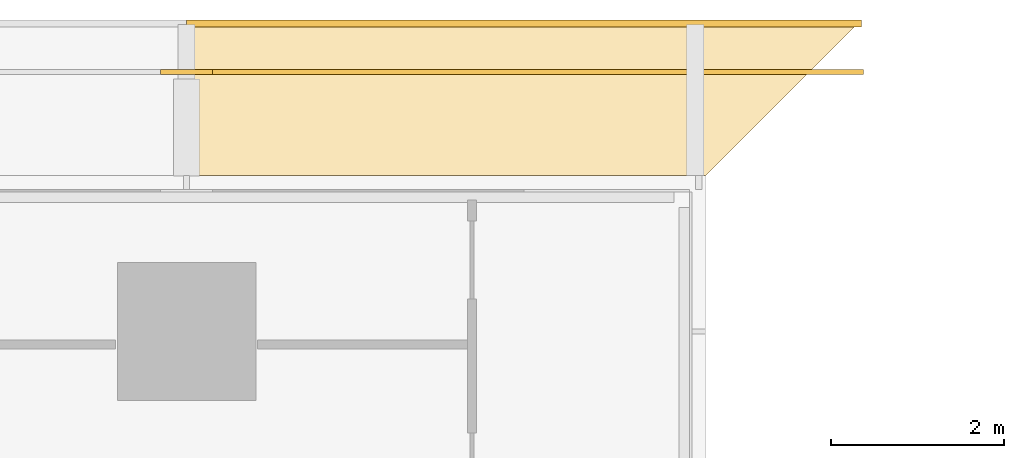
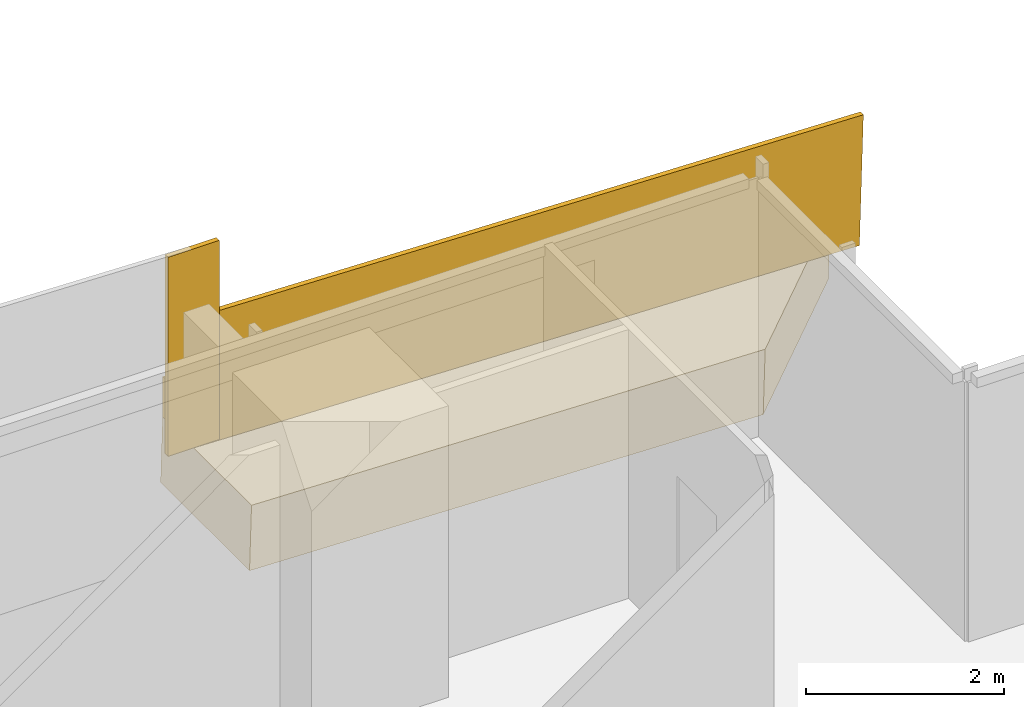
# One storey, part 31 of 31: 2 coverings, 2 railings.
"""IFC4 building model written with IfcOpenShell, lengths in metres."""

from ifc_helpers import new_model, si_unit, direction, frame, origin, origin_2d, place, context, subcontext, project, spatial, polyline, rectangle, outline, extrude, material, layer, layer_set, type_object, element, save


model = new_model("IFC4")

# Units and contexts
model_context = context("Model", 3, precision=1e-05, world=origin(), true_north=direction((0.0, 1.0)))
body_context = subcontext(model_context, "Body", "Model", "MODEL_VIEW")
ifc_project = project(units=[si_unit("LENGTHUNIT", "METRE"), si_unit("AREAUNIT", "SQUARE_METRE"), si_unit("VOLUMEUNIT", "CUBIC_METRE"), si_unit("PLANEANGLEUNIT", "RADIAN"), si_unit("MASSUNIT", "GRAM", prefix="KILO")], contexts=[model_context])

# Site, building, storey
site_placement = place(None, origin())
site = spatial("IfcSite", under=ifc_project, at=site_placement, CompositionType="ELEMENT")
building_placement = place(site_placement, origin())
building = spatial("IfcBuilding", under=site, at=building_placement, Name="Saffron Gate Tower", CompositionType="ELEMENT")
storey_placement = place(building_placement, frame((0.0, 0.0, 205.5)))
storey = spatial("IfcBuildingStorey", under=building, at=storey_placement, Name="L49", CompositionType="ELEMENT", Elevation=205.5)

# Coverings
ifc_material = material(Name="Timber, thermally modified ash", Category="wood")
ifc_layer_1 = layer(ifc_material, 0.800048828125)
ifc_layer_set_1 = layer_set([ifc_layer_1], Name="LD1 ledge timber")
covering_type_1 = type_object("IfcCoveringType", Name="LD1 ledge timber", PredefinedType="CLADDING", material=ifc_layer_set_1)
covering_1_placement = place(storey_placement, frame((123.0, 75.60009765625, 0.89990234375), z_axis=(0.028789477025, -2.3920834e-05, 0.999585496814), x_axis=(-0.9995854971, 1.72e-10, 0.028789477033)))
element("IfcCovering", 1, at=covering_1_placement, inside=storey, type_object=covering_type_1, Name="LEDGE", PredefinedType="CLADDING", context=body_context, shape_type="SweptSolid", body=[
    extrude(outline(polyline([(0.0, 0.0), (6.002489288687248, -8.470329472543003e-22), (6.002489288996045, -1.7998046869850703), (-1.800792782710612, -1.7998046893537554), (0.0, 0.0)])), origin(), (0.0, 0.0, -1.0), 0.800048828125),
])
ifc_layer_2 = layer(ifc_material, 0.080078125)
ifc_layer_set_2 = layer_set([ifc_layer_2], Name="LD2 ledge planter trough")
covering_type_2 = type_object("IfcCoveringType", Name="LD2 ledge planter trough", PredefinedType="CLADDING", material=ifc_layer_set_2)
covering_2_placement = place(storey_placement, frame((124.800048828125, 77.39990234375, 0.84814453125), z_axis=(0.0, 1.0, 0.0), x_axis=(-0.999585655924, 0.0, 0.028783962047)))
element("IfcCovering", 2, at=covering_2_placement, inside=storey, type_object=covering_type_2, Name="LEDGE planter trough", PredefinedType="CLADDING", context=body_context, shape_type="SweptSolid", body=[
    extrude(outline(polyline([(0.0, 0.0), (7.803282071825423, 2.7755575615628914e-17), (7.817674052849086, 0.4997928279619612), (0.014391981023662846, 0.4997928279619612), (0.0, 0.0)])), origin(), (0.0, 0.0, -1.0), 0.080078125),
])

# Railings
railing_type = type_object("IfcRailingType", Name="LG1 ledge balustrade", PredefinedType="BALUSTRADE", material=ifc_material)
railing_1_placement = place(storey_placement, frame((124.800048828125, 76.800048828125, 0.84814453125)))
element("IfcRailing", 3, at=railing_1_placement, inside=storey, type_object=railing_type, Name="LEDGE BALUSTRADE", PredefinedType="BALUSTRADE", context=body_context, shape_type="SweptSolid", body=[
    extrude(rectangle(XDim=0.06005859375, YDim=1.60009765625, at=origin_2d()), frame((0.0, 0.0, 0.800048828125), z_axis=(-0.999585655924, 0.0, 0.028783962047), x_axis=(0.0, -1.0, 0.0)), (0.0, 0.0, 1.0), 7.80322265625),
])
railing_2_placement = place(storey_placement, frame((117.300048828125, 76.800048828125, 1.07275390625)))
element("IfcRailing", 4, at=railing_2_placement, inside=storey, type_object=railing_type, Name="LEDGE BALUSTRADE", PredefinedType="BALUSTRADE", context=body_context, shape_type="SweptSolid", body=[
    extrude(rectangle(XDim=0.06005859375, YDim=2.45751953125, at=origin_2d()), frame((0.0, 0.0, 1.228759765625), z_axis=(-1.0, 0.0, 0.0), x_axis=(0.0, -1.0, 0.0)), (0.0, 0.0, 1.0), 0.60009765625),
])

save(model, "model.ifc")
